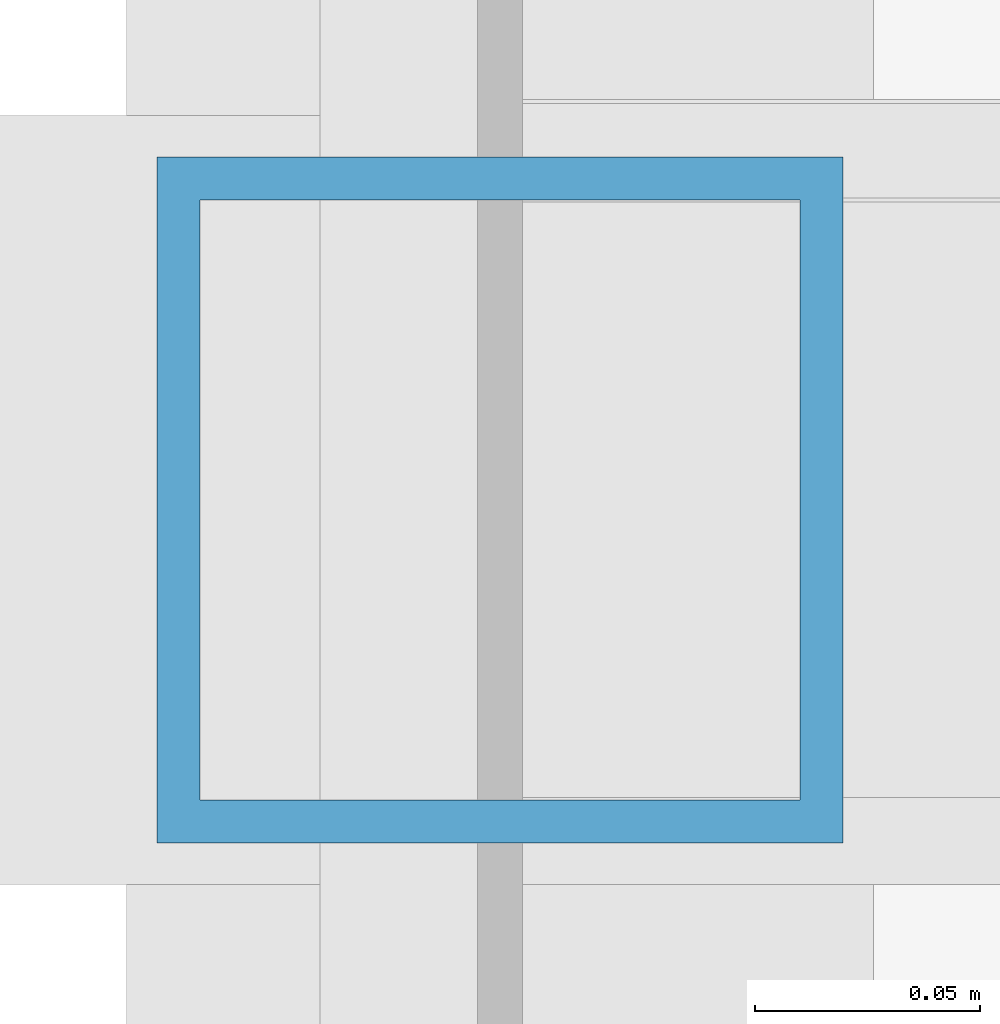
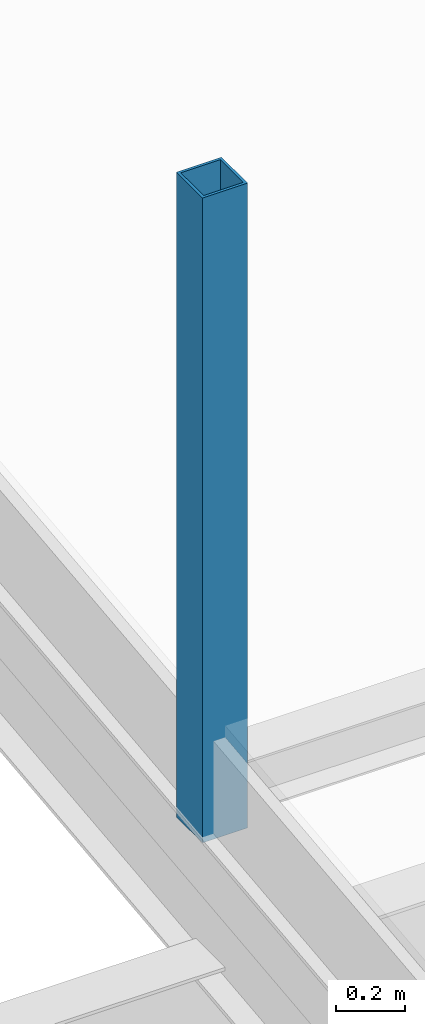
# One storey, part 34 of 199: 1 member.
"""IFC4 building model written with IfcOpenShell, lengths in metres."""

from ifc_helpers import new_model, si_unit, direction, frame, origin, origin_2d, place, context, subcontext, project, spatial, hollow_rectangle, extrude, material, material_profile, profile_set, type_object, element, save


model = new_model("IFC4")

# Units and contexts
model_context = context("Model", 3, precision=1e-05, world=origin(), true_north=direction((0.0, 1.0)))
body_context = subcontext(model_context, "Body", "Model", "MODEL_VIEW")
ifc_project = project(units=[si_unit("LENGTHUNIT", "METRE"), si_unit("AREAUNIT", "SQUARE_METRE"), si_unit("VOLUMEUNIT", "CUBIC_METRE"), si_unit("PLANEANGLEUNIT", "RADIAN"), si_unit("MASSUNIT", "GRAM", prefix="KILO")], contexts=[model_context])

# Site, building, storey
site_placement = place(None, origin())
site = spatial("IfcSite", under=ifc_project, at=site_placement, CompositionType="ELEMENT")
building_placement = place(site_placement, origin())
building = spatial("IfcBuilding", under=site, at=building_placement, Name="Parallax Yard Mobility Hub", CompositionType="ELEMENT")
storey_placement = place(building_placement, frame((0.0, 0.0, 9.89990234375)))
storey = spatial("IfcBuildingStorey", under=building, at=storey_placement, Name="L03", CompositionType="ELEMENT", Elevation=9.89990234375)

# Member
ifc_material = material(Name="Steel ASTM A500 Gr C", Category="steel")
ifc_material_profile = material_profile(ifc_material, hollow_rectangle(XDim=0.15234375, YDim=0.15234375, WallThickness=0.009521484375, at=origin_2d()), Name="HSS152x152x9.5")
ifc_profile_set = profile_set([ifc_material_profile], Name="Steel ASTM A500 Gr C")
member_type = type_object("IfcMemberType", Name="Monitor post HSS152x152x9.5", PredefinedType="POST", material=ifc_profile_set)
member_placement = place(storey_placement, frame((165.0, 7.5, 2.91748046875), z_axis=(0.0, 0.0, 1.0), x_axis=(1.0, 0.0, 0.0)))
element("IfcMember", 1, at=member_placement, inside=storey, type_object=member_type, Name="Monitor post at x 165 y 7.5", PredefinedType="POST", context=body_context, shape_type="SweptSolid", body=[
    extrude(hollow_rectangle(XDim=0.15234375, YDim=0.15234375, WallThickness=0.009521484375, at=origin_2d()), origin(), (0.0, 0.0, 1.0), 2.295166015625),
])

save(model, "model.ifc")
